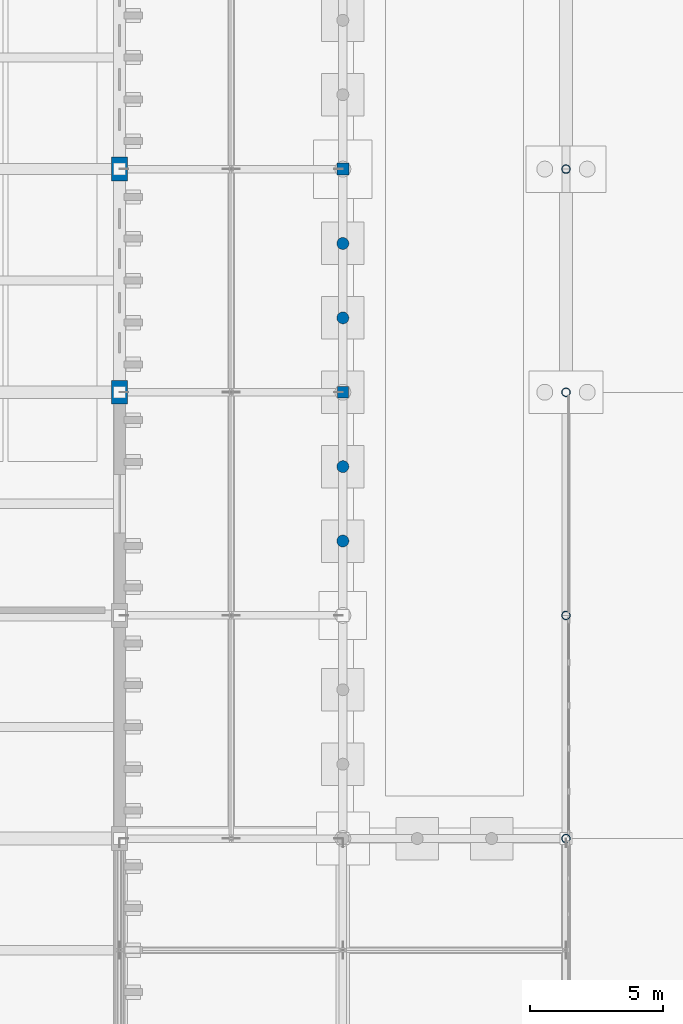
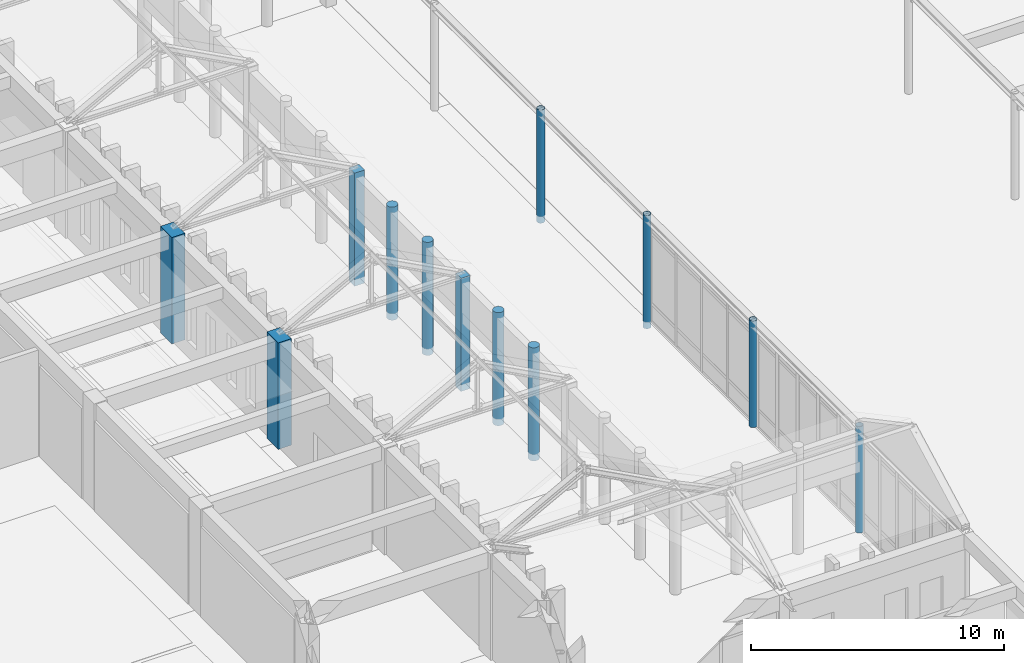
# One storey, part 11 of 143: 12 columns.
"""IFC4 building model written with IfcOpenShell, lengths in metres."""

from ifc_helpers import new_model, si_unit, direction, frame, origin, origin_2d, place, context, subcontext, project, spatial, rectangle, circle, hollow_circle, extrude, material, material_profile, profile_set, type_object, element, save


model = new_model("IFC4")

# Units and contexts
model_context = context("Model", 3, precision=1e-05, world=origin(), true_north=direction((0.0, 1.0)))
body_context = subcontext(model_context, "Body", "Model", "MODEL_VIEW")
ifc_project = project(units=[si_unit("LENGTHUNIT", "METRE"), si_unit("AREAUNIT", "SQUARE_METRE"), si_unit("VOLUMEUNIT", "CUBIC_METRE"), si_unit("PLANEANGLEUNIT", "RADIAN"), si_unit("MASSUNIT", "GRAM", prefix="KILO")], contexts=[model_context])

# Site, building, storey
site_placement = place(None, origin())
site = spatial("IfcSite", under=ifc_project, at=site_placement, CompositionType="ELEMENT")
building_placement = place(site_placement, origin())
building = spatial("IfcBuilding", under=site, at=building_placement, Name="Kveldsbrygga Polytechnic", CompositionType="ELEMENT")
storey_placement = place(building_placement, origin())
storey = spatial("IfcBuildingStorey", under=building, at=storey_placement, Name="L00", CompositionType="ELEMENT", Elevation=0.0)

# Columns
ifc_material_1 = material(Name="Concrete C45/55", Category="concrete")
ifc_material_profile_1 = material_profile(ifc_material_1, circle(Radius=0.22509765625, at=origin_2d()), Name="RC D450")
ifc_profile_set_1 = profile_set([ifc_material_profile_1], Name="Concrete C45/55")
column_type_1 = type_object("IfcColumnType", Name="COL-ARC-D450", PredefinedType="COLUMN", material=ifc_profile_set_1)
for number, where, z_axis, x_axis, name in (
    (1, (42.0, 44.800048828125, -0.320068359375), (0.0, 0.0, 1.0), (1.0, 0.0, 0.0), "Cloister Arcade Pier COL-ARC-047"),
    (2, (42.0, 47.60009765625, -0.320068359375), (0.0, 0.0, 1.0), (1.0, 0.0, 0.0), "Cloister Arcade Pier COL-ARC-048"),
    (3, (42.0, 53.199951171875, -0.320068359375), (0.0, 0.0, 1.0), (1.0, 0.0, 0.0), "Cloister Arcade Pier COL-ARC-049"),
    (4, (42.0, 56.0, -0.320068359375), (0.0, 0.0, 1.0), (1.0, 0.0, 0.0), "Cloister Arcade Pier COL-ARC-050"),
):
    element("IfcColumn", number, at=place(storey_placement, frame(where, z_axis=z_axis, x_axis=x_axis)), inside=storey, type_object=column_type_1, Name=name, PredefinedType="COLUMN", context=body_context, shape_type="SweptSolid", body=[
        extrude(circle(Radius=0.22509765625, at=origin_2d()), origin(), (0.0, 0.0, 1.0), 5.4599609375),
    ])
ifc_material_profile_2 = material_profile(ifc_material_1, rectangle(XDim=0.60009765625, YDim=0.89990234375, at=origin_2d()), Name="RC 600x900")
ifc_profile_set_2 = profile_set([ifc_material_profile_2], Name="Concrete C45/55")
column_type_2 = type_object("IfcColumnType", Name="COL-CRANE-900", PredefinedType="COLUMN", material=ifc_profile_set_2)
for number, where, z_axis, x_axis, name in (
    (5, (33.60009765625, 50.39990234375, 0.0), (0.0, 0.0, 1.0), (1.0, 0.0, 0.0), "Column COL-L00-04-06"),
    (6, (33.60009765625, 58.800048828125, 0.0), (0.0, 0.0, 1.0), (1.0, 0.0, 0.0), "Column COL-L00-04-07"),
):
    element("IfcColumn", number, at=place(storey_placement, frame(where, z_axis=z_axis, x_axis=x_axis)), inside=storey, type_object=column_type_2, Name=name, PredefinedType="COLUMN", context=body_context, shape_type="SweptSolid", body=[
        extrude(rectangle(XDim=0.60009765625, YDim=0.89990234375, at=origin_2d()), origin(), (0.0, 0.0, 1.0), 5.139892578125),
    ])
ifc_material_profile_3 = material_profile(ifc_material_1, rectangle(XDim=0.419921875, YDim=0.419921875, at=origin_2d()), Name="RC 420x420")
ifc_profile_set_3 = profile_set([ifc_material_profile_3], Name="Concrete C45/55")
column_type_3 = type_object("IfcColumnType", Name="COL-RC-420", PredefinedType="COLUMN", material=ifc_profile_set_3)
column_1_placement = place(storey_placement, frame((42.0, 50.39990234375, -0.320068359375), z_axis=(0.0, 0.0, 1.0), x_axis=(1.0, 0.0, 0.0)))
element("IfcColumn", 7, at=column_1_placement, inside=storey, type_object=column_type_3, Name="Column COL-L00-05-06", PredefinedType="COLUMN", context=body_context, shape_type="SweptSolid", body=[
    extrude(rectangle(XDim=0.419921875, YDim=0.419921875, at=origin_2d()), origin(), (0.0, 0.0, 1.0), 5.4599609375),
])
ifc_material_profile_4 = material_profile(ifc_material_1, rectangle(XDim=0.449951171875, YDim=0.449951171875, at=origin_2d()), Name="RC 450x450")
ifc_profile_set_4 = profile_set([ifc_material_profile_4], Name="Concrete C45/55")
column_type_4 = type_object("IfcColumnType", Name="COL-RC-450", PredefinedType="COLUMN", material=ifc_profile_set_4)
column_2_placement = place(storey_placement, frame((42.0, 58.800048828125, -0.320068359375), z_axis=(0.0, 0.0, 1.0), x_axis=(1.0, 0.0, 0.0)))
element("IfcColumn", 8, at=column_2_placement, inside=storey, type_object=column_type_4, Name="Column COL-L00-05-07", PredefinedType="COLUMN", context=body_context, shape_type="SweptSolid", body=[
    extrude(rectangle(XDim=0.449951171875, YDim=0.449951171875, at=origin_2d()), origin(), (0.0, 0.0, 1.0), 5.4599609375),
])
ifc_material_2 = material(Name="Steel S355", Category="steel")
ifc_material_profile_5 = material_profile(ifc_material_2, hollow_circle(Radius=0.161865234375, WallThickness=0.01611328125, at=origin_2d()), Name="CHS 323.9x16.0")
ifc_profile_set_5 = profile_set([ifc_material_profile_5], Name="Steel S355")
column_type_5 = type_object("IfcColumnType", Name="COL-STL-CHS324", PredefinedType="COLUMN", material=ifc_profile_set_5)
for number, where, z_axis, x_axis, name in (
    (9, (50.39990234375, 33.60009765625, 0.0), (0.0, 0.0, 1.0), (1.0, 0.0, 0.0), "Column COL-L00-06-04"),
    (10, (50.39990234375, 42.0, 0.0), (0.0, 0.0, 1.0), (1.0, 0.0, 0.0), "Column COL-L00-06-05"),
):
    element("IfcColumn", number, at=place(storey_placement, frame(where, z_axis=z_axis, x_axis=x_axis)), inside=storey, type_object=column_type_5, Name=name, PredefinedType="COLUMN", context=body_context, shape_type="SweptSolid", body=[
        extrude(hollow_circle(Radius=0.161865234375, WallThickness=0.01611328125, at=origin_2d()), origin(), (0.0, 0.0, 1.0), 5.139892578125),
    ])
for number, where, z_axis, x_axis, name in (
    (11, (50.39990234375, 50.39990234375, -0.320068359375), (0.0, 0.0, 1.0), (1.0, 0.0, 0.0), "Column COL-L00-06-06"),
    (12, (50.39990234375, 58.800048828125, -0.320068359375), (0.0, 0.0, 1.0), (1.0, 0.0, 0.0), "Column COL-L00-06-07"),
):
    element("IfcColumn", number, at=place(storey_placement, frame(where, z_axis=z_axis, x_axis=x_axis)), inside=storey, type_object=column_type_5, Name=name, PredefinedType="COLUMN", context=body_context, shape_type="SweptSolid", body=[
        extrude(hollow_circle(Radius=0.161865234375, WallThickness=0.01611328125, at=origin_2d()), origin(), (0.0, 0.0, 1.0), 5.4599609375),
    ])

save(model, "model.ifc")
